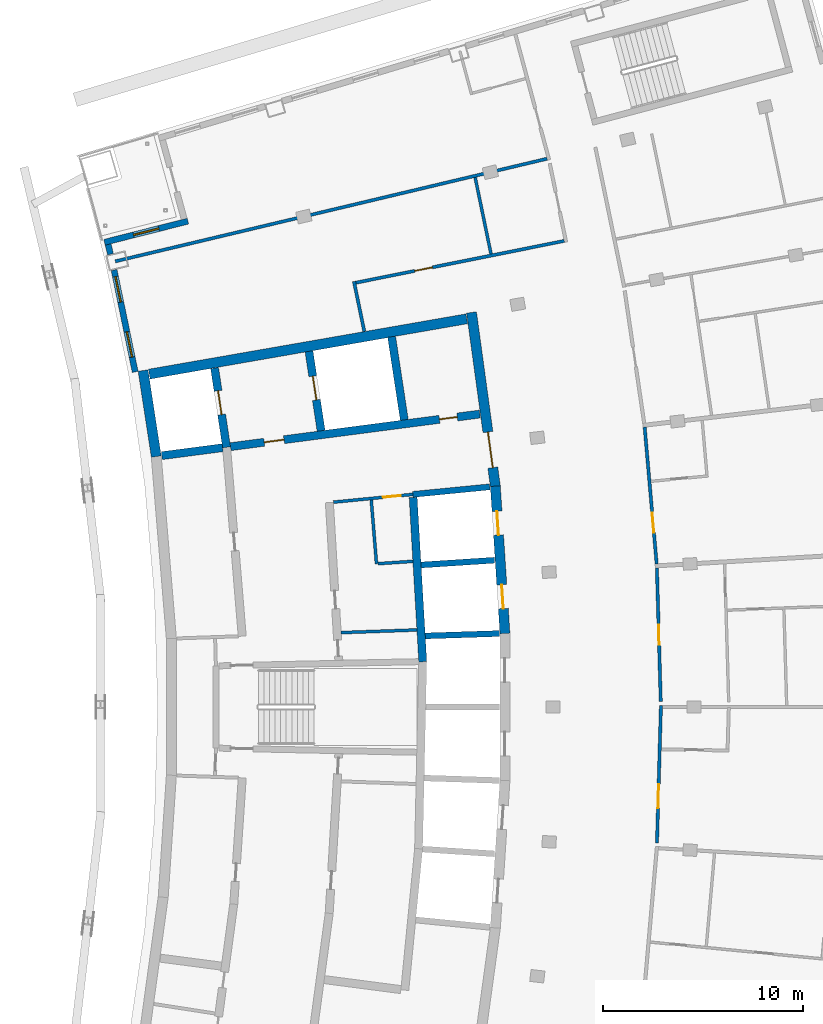
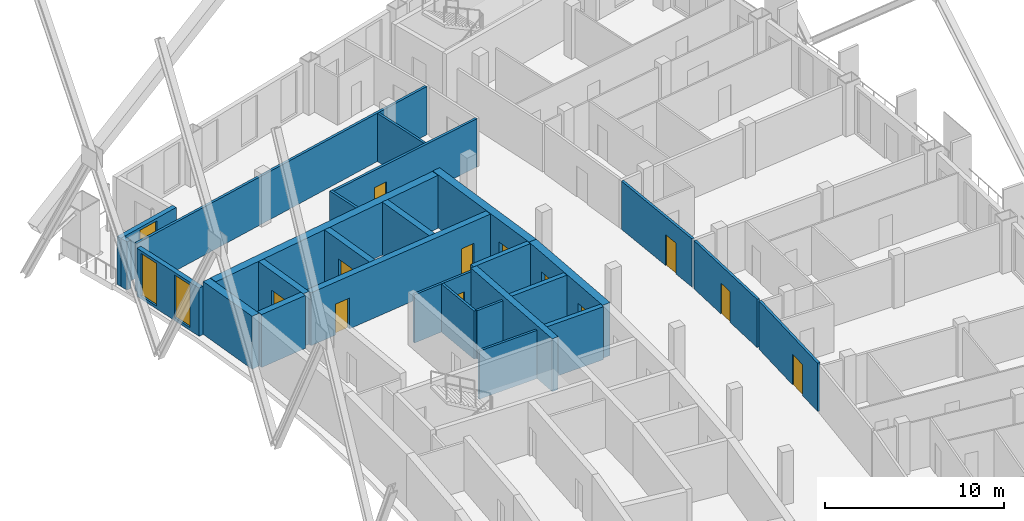
# One storey, part 11 of 16: 27 walls, 12 doors, 3 windows, 15 openings.
"""IFC4 building model written with IfcOpenShell, lengths in metres."""

from ifc_helpers import new_model, si_unit, direction, frame, frame_2d, origin, place, context, subcontext, project, spatial, rectangle, extrude, material, layer, layer_set, type_object, element, fill, save


model = new_model("IFC4")

# Units and contexts
model_context = context("Model", 3, precision=1e-05, world=origin(), true_north=direction((0.0, 1.0)))
body_context = subcontext(model_context, "Body", "Model", "MODEL_VIEW")
ifc_project = project(units=[si_unit("LENGTHUNIT", "METRE"), si_unit("AREAUNIT", "SQUARE_METRE"), si_unit("VOLUMEUNIT", "CUBIC_METRE"), si_unit("PLANEANGLEUNIT", "RADIAN"), si_unit("MASSUNIT", "GRAM", prefix="KILO")], contexts=[model_context])

# Site, building, storey
site_placement = place(None, origin())
site = spatial("IfcSite", under=ifc_project, at=site_placement, CompositionType="ELEMENT")
building_placement = place(site_placement, origin())
building = spatial("IfcBuilding", under=site, at=building_placement, Name="Alderwake Tower", CompositionType="ELEMENT")
storey_placement = place(building_placement, frame((0.0, 0.0, 245.60009765625)))
storey = spatial("IfcBuildingStorey", under=building, at=storey_placement, Name="L60", CompositionType="ELEMENT", Elevation=245.60009765625)

# Walls
ifc_material_1 = material(Name="Gypsum shaft wall system, rated")
ifc_layer_1 = layer(ifc_material_1, 0.14990234375)
ifc_layer_set_1 = layer_set([ifc_layer_1], Name="Core riser partition 150")
wall_type_1 = type_object("IfcWallType", Name="Core riser partition 150", PredefinedType="PARTITIONING", material=ifc_layer_set_1)
wall_1_placement = place(storey_placement, frame((25.191162109375, 64.723388671875, 0.0), z_axis=(0.0, 0.0, 1.0), x_axis=(0.999373627871, 0.035388584556, 0.0)))
element("IfcWall", 1, at=wall_1_placement, inside=storey, type_object=wall_type_1, Name="CW/L60/PR+37_+86", PredefinedType="PARTITIONING", context=body_context, shape_type="SweptSolid", body=[
    extrude(rectangle(XDim=3.79443359375, YDim=0.14990234375, at=frame_2d((1.897216796875, 0.0))), origin(), (0.0, 0.0, 1.0), 3.27978515625),
])
ifc_material_2 = material(Name="Gypsum shaft wall system, rated")
ifc_layer_2 = layer(ifc_material_2, 0.14990234375)
ifc_layer_set_2 = layer_set([ifc_layer_2], Name="Core room partition 150")
wall_type_2 = type_object("IfcWallType", Name="Core room partition 150", PredefinedType="PARTITIONING", material=ifc_layer_set_2)
wall_2_placement = place(storey_placement, frame((26.9599609375, 68.170654296875, 0.0), z_axis=(0.0, 0.0, 1.0), x_axis=(-0.081803626558, 0.996648466954, 0.0)))
element("IfcWall", 2, at=wall_2_placement, inside=storey, type_object=wall_type_2, Name="CW/L60/PA+107_+70", PredefinedType="PARTITIONING", context=body_context, shape_type="SweptSolid", body=[
    extrude(rectangle(XDim=3.205322265625, YDim=0.14990234375, at=frame_2d((1.6025390625, 0.0))), origin(), (0.0, 0.0, 1.0), 3.27978515625),
])
wall_3_placement = place(storey_placement, frame((27.034912109375, 68.175537109375, 0.0), z_axis=(0.0, 0.0, 1.0), x_axis=(0.997757929195, 0.066926188655, 0.0)))
element("IfcWall", 3, at=wall_3_placement, inside=storey, type_object=wall_type_2, Name="CW/L60/PR+70_+107", PredefinedType="PARTITIONING", context=body_context, shape_type="SweptSolid", body=[
    extrude(rectangle(XDim=1.7509765625, YDim=0.14990234375, at=frame_2d((0.87548828125, 0.0))), origin(), (0.0, 0.0, 1.0), 3.27978515625),
])

# Wall, opening, door
wall_4_placement = place(storey_placement, frame((28.780517578125, 71.644287109375, 0.0), z_axis=(0.0, 0.0, 1.0), x_axis=(-0.995250000627, -0.097352125046, 0.0)))
wall_4 = element("IfcWall", 4, at=wall_4_placement, inside=storey, type_object=wall_type_2, Name="CW/L60/PR+102_+86", PredefinedType="PARTITIONING", context=body_context, shape_type="SweptSolid", body=[
    extrude(rectangle(XDim=4.0, YDim=0.14990234375, at=frame_2d((2.0, 0.0))), origin(), (0.0, 0.0, 1.0), 3.27978515625),
])
opening_1_placement = place(wall_4_placement, frame((0.60009765625, 0.0, 0.0)))
opening_1 = element("IfcOpeningElement", 5, at=opening_1_placement, cuts=wall_4, Name="Opening C022", PredefinedType="OPENING", context=body_context, shape_type="SweptSolid", body=[
    extrude(rectangle(XDim=0.89990234375, YDim=2.10009765625, at=frame_2d((0.449951171875, 1.050048828125))), frame((0.0, 0.0849609375, 0.0), z_axis=(0.0, -1.0, 0.0), x_axis=(1.0, 0.0, 0.0)), (0.0, 0.0, 1.0), 0.169921875),
])
ifc_material_3 = material(Name="Painted steel leaf", Category="steel")
door_type_1 = type_object("IfcDoorType", Name="Core room door 900", OperationType="SINGLE_SWING_LEFT", PredefinedType="DOOR", material=ifc_material_3)
door_1_placement = place(opening_1_placement, origin())
door_1 = element("IfcDoor", 6, at=door_1_placement, inside=storey, type_object=door_type_1, Name="Room door", OperationType="SINGLE_SWING_LEFT", OverallHeight=2.10009765625, OverallWidth=0.89990234375, PredefinedType="DOOR", context=body_context, shape_type="SweptSolid", body=[
    extrude(rectangle(XDim=0.89990234375, YDim=2.10009765625, at=frame_2d((0.449951171875, 1.050048828125))), frame((0.0, 0.02490234375, 0.0), z_axis=(0.0, -1.0, 0.0), x_axis=(1.0, 0.0, 0.0)), (0.0, 0.0, 1.0), 0.050048828125),
])
fill(opening_1, door_1)

# Wall
ifc_material_4 = material(Name="Concrete C70/85", Category="concrete")
ifc_layer_3 = layer(ifc_material_4, 0.5)
ifc_layer_set_3 = layer_set([ifc_layer_3], Name="Core wall outer 500 C70-85")
wall_type_3 = type_object("IfcWallType", Name="Core wall outer 500 C70-85", PredefinedType="SHEAR", material=ifc_layer_set_3)
wall_5_placement = place(storey_placement, frame((15.934326171875, 73.5380859375, 0.0), z_axis=(0.0, 0.0, 1.0), x_axis=(-0.151947718368, 0.988388532351, 0.0)))
element("IfcWall", 7, at=wall_5_placement, inside=storey, type_object=wall_type_3, Name="Core wall CW.025", PredefinedType="SHEAR", context=body_context, shape_type="SweptSolid", body=[
    extrude(rectangle(XDim=4.357421875, YDim=0.5, at=frame_2d((2.1787109375, 0.0))), origin(), (0.0, 0.0, 1.0), 3.599853515625),
])

# Wall, openings, doors
wall_6_placement = place(storey_placement, frame((33.390625, 64.679443359375, 0.0), z_axis=(0.0, 0.0, 1.0), x_axis=(-0.064980500916, 0.997886533881, 0.0)))
wall_6 = element("IfcWall", 8, at=wall_6_placement, inside=storey, type_object=wall_type_3, Name="Core wall CW.020", PredefinedType="SHEAR", context=body_context, shape_type="SweptSolid", body=[
    extrude(rectangle(XDim=7.39404296875, YDim=0.5, at=frame_2d((3.697021484375, 0.0))), origin(), (0.0, 0.0, 1.0), 3.599853515625),
])
opening_2_placement = place(wall_6_placement, frame((1.25244140625, 0.0, 0.0)))
opening_2 = element("IfcOpeningElement", 9, at=opening_2_placement, cuts=wall_6, Name="Opening LD-HP5", PredefinedType="OPENING", context=body_context, shape_type="SweptSolid", body=[
    extrude(rectangle(XDim=1.199951171875, YDim=2.300048828125, at=frame_2d((0.60009765625, 1.14990234375))), frame((0.0, 0.260009765625, 0.0), z_axis=(0.0, -1.0, 0.0), x_axis=(1.0, 0.0, 0.0)), (0.0, 0.0, 1.0), 0.52001953125),
])
opening_3_placement = place(wall_6_placement, frame((4.94091796875, 0.0, 0.0)))
opening_3 = element("IfcOpeningElement", 10, at=opening_3_placement, cuts=wall_6, Name="Opening LD-HP6", PredefinedType="OPENING", context=body_context, shape_type="SweptSolid", body=[
    extrude(rectangle(XDim=1.199951171875, YDim=2.300048828125, at=frame_2d((0.60009765625, 1.14990234375))), frame((0.0, 0.260009765625, 0.0), z_axis=(0.0, -1.0, 0.0), x_axis=(1.0, 0.0, 0.0)), (0.0, 0.0, 1.0), 0.52001953125),
])
ifc_material_5 = material(Name="Stainless steel sliding leaf", Category="steel")
door_type_2 = type_object("IfcDoorType", Name="Lift landing door 1200", OperationType="SLIDING_TO_LEFT", PredefinedType="DOOR", material=ifc_material_5)
door_2_placement = place(opening_2_placement, origin())
door_2 = element("IfcDoor", 11, at=door_2_placement, inside=storey, type_object=door_type_2, Name="Lift landing door HP5", OperationType="SLIDING_TO_LEFT", OverallHeight=2.300048828125, OverallWidth=1.199951171875, PredefinedType="DOOR", context=body_context, shape_type="SweptSolid", body=[
    extrude(rectangle(XDim=1.199951171875, YDim=2.300048828125, at=frame_2d((0.60009765625, 1.14990234375))), frame((0.0, 0.02490234375, 0.0), z_axis=(0.0, -1.0, 0.0), x_axis=(1.0, 0.0, 0.0)), (0.0, 0.0, 1.0), 0.050048828125),
])
fill(opening_2, door_2)
door_3_placement = place(opening_3_placement, origin())
door_3 = element("IfcDoor", 12, at=door_3_placement, inside=storey, type_object=door_type_2, Name="Lift landing door HP6", OperationType="SLIDING_TO_LEFT", OverallHeight=2.300048828125, OverallWidth=1.199951171875, PredefinedType="DOOR", context=body_context, shape_type="SweptSolid", body=[
    extrude(rectangle(XDim=1.199951171875, YDim=2.300048828125, at=frame_2d((0.60009765625, 1.14990234375))), frame((0.0, 0.02490234375, 0.0), z_axis=(0.0, -1.0, 0.0), x_axis=(1.0, 0.0, 0.0)), (0.0, 0.0, 1.0), 0.050048828125),
])
fill(opening_3, door_3)

# Wall, opening, door
wall_7_placement = place(storey_placement, frame((31.71728515625, 80.752685546875, 0.0), z_axis=(0.0, 0.0, 1.0), x_axis=(0.1358539401, -0.990728876615, 0.0)))
wall_7 = element("IfcWall", 13, at=wall_7_placement, inside=storey, type_object=wall_type_3, Name="Core wall CW.019", PredefinedType="SHEAR", context=body_context, shape_type="SweptSolid", body=[
    extrude(rectangle(XDim=8.794921875, YDim=0.5, at=frame_2d((4.3974609375, 0.0))), origin(), (0.0, 0.0, 1.0), 3.599853515625),
])
opening_4_placement = place(wall_7_placement, frame((6.0419921875, 0.0, 0.0)))
opening_4 = element("IfcOpeningElement", 14, at=opening_4_placement, cuts=wall_7, Name="Opening C001", PredefinedType="OPENING", context=body_context, shape_type="SweptSolid", body=[
    extrude(rectangle(XDim=1.800048828125, YDim=2.10009765625, at=frame_2d((0.89990234375, 1.050048828125))), frame((0.0, 0.260009765625, 0.0), z_axis=(0.0, -1.0, 0.0), x_axis=(1.0, 0.0, 0.0)), (0.0, 0.0, 1.0), 0.52001953125),
])
ifc_material_6 = material(Name="Steel-framed fire door leaves", Category="steel")
door_type_3 = type_object("IfcDoorType", Name="Core double door 1800 fire-rated", OperationType="DOUBLE_DOOR_SINGLE_SWING", PredefinedType="DOOR", material=ifc_material_6)
door_4_placement = place(opening_4_placement, origin())
door_4 = element("IfcDoor", 15, at=door_4_placement, inside=storey, type_object=door_type_3, Name="Lobby double door", OperationType="DOUBLE_DOOR_SINGLE_SWING", OverallHeight=2.10009765625, OverallWidth=1.800048828125, PredefinedType="DOOR", context=body_context, shape_type="SweptSolid", body=[
    extrude(rectangle(XDim=1.800048828125, YDim=2.10009765625, at=frame_2d((0.89990234375, 1.050048828125))), frame((0.0, 0.02490234375, 0.0), z_axis=(0.0, -1.0, 0.0), x_axis=(1.0, 0.0, 0.0)), (0.0, 0.0, 1.0), 0.050048828125),
])
fill(opening_4, door_4)

# Walls
wall_8_placement = place(storey_placement, frame((15.583251953125, 77.664306640625, 0.0), z_axis=(0.0, 0.0, 1.0), x_axis=(0.985139146221, 0.171758151429, 0.0)))
element("IfcWall", 16, at=wall_8_placement, inside=storey, type_object=wall_type_3, Name="Core wall CW.055", PredefinedType="SHEAR", context=body_context, shape_type="SweptSolid", body=[
    extrude(rectangle(XDim=16.134521484375, YDim=0.5, at=frame_2d((8.0673828125, 0.0))), origin(), (0.0, 0.0, 1.0), 3.599853515625),
])
ifc_material_7 = material(Name="Concrete C70/85", Category="concrete")
ifc_layer_4 = layer(ifc_material_7, 0.300048828125)
ifc_layer_set_4 = layer_set([ifc_layer_4], Name="Core wall shaft 300 C70-85")
wall_type_4 = type_object("IfcWallType", Name="Core wall shaft 300 C70-85", PredefinedType="SHEAR", material=ifc_layer_set_4)
wall_9_placement = place(storey_placement, frame((29.401611328125, 64.558349609375, 0.0), z_axis=(0.0, 0.0, 1.0), x_axis=(0.99947159852, 0.032504211301, 0.0)))
element("IfcWall", 17, at=wall_9_placement, inside=storey, type_object=wall_type_4, Name="Core wall CW.058", PredefinedType="SHEAR", context=body_context, shape_type="SweptSolid", body=[
    extrude(rectangle(XDim=3.71044921875, YDim=0.300048828125, at=frame_2d((1.855224609375, 0.0))), origin(), (0.0, 0.0, 1.0), 3.599853515625),
])
wall_10_placement = place(storey_placement, frame((29.193603515625, 68.110595703125, 0.0), z_axis=(0.0, 0.0, 1.0), x_axis=(0.997885994006, 0.064988791085, 0.0)))
element("IfcWall", 18, at=wall_10_placement, inside=storey, type_object=wall_type_4, Name="Core wall CW.061", PredefinedType="SHEAR", context=body_context, shape_type="SweptSolid", body=[
    extrude(rectangle(XDim=3.685302734375, YDim=0.300048828125, at=frame_2d((1.8427734375, 0.0))), origin(), (0.0, 0.0, 1.0), 3.599853515625),
])
wall_11_placement = place(storey_placement, frame((28.780517578125, 71.644287109375, 0.0), z_axis=(0.0, 0.0, 1.0), x_axis=(0.995244248631, 0.097410910928, 0.0)))
element("IfcWall", 19, at=wall_11_placement, inside=storey, type_object=wall_type_4, Name="Core wall CW.049", PredefinedType="SHEAR", context=body_context, shape_type="SweptSolid", body=[
    extrude(rectangle(XDim=3.86962890625, YDim=0.300048828125, at=frame_2d((1.934814453125, 0.0))), origin(), (0.0, 0.0, 1.0), 3.599853515625),
])

# Wall, opening, door
ifc_material_8 = material(Name="Concrete C70/85", Category="concrete")
ifc_layer_5 = layer(ifc_material_8, 0.39990234375)
ifc_layer_set_5 = layer_set([ifc_layer_5], Name="Core wall spine 400 C70-85")
wall_type_5 = type_object("IfcWallType", Name="Core wall spine 400 C70-85", PredefinedType="SHEAR", material=ifc_layer_set_5)
wall_12_placement = place(storey_placement, frame((19.4541015625, 74.00048828125, 0.0), z_axis=(0.0, 0.0, 1.0), x_axis=(-0.149461330246, 0.988767571657, 0.0)))
wall_12 = element("IfcWall", 20, at=wall_12_placement, inside=storey, type_object=wall_type_5, Name="Core wall CW.030", PredefinedType="SHEAR", context=body_context, shape_type="SweptSolid", body=[
    extrude(rectangle(XDim=4.01513671875, YDim=0.39990234375, at=frame_2d((2.007568359375, 0.0))), origin(), (0.0, 0.0, 1.0), 3.599853515625),
])
opening_5_placement = place(wall_12_placement, frame((1.6611328125, 0.0, 0.0)))
opening_5 = element("IfcOpeningElement", 21, at=opening_5_placement, cuts=wall_12, Name="Opening LD-FF1", PredefinedType="OPENING", context=body_context, shape_type="SweptSolid", body=[
    extrude(rectangle(XDim=1.199951171875, YDim=2.300048828125, at=frame_2d((0.60009765625, 1.14990234375))), frame((0.0, 0.2099609375, 0.0), z_axis=(0.0, -1.0, 0.0), x_axis=(1.0, 0.0, 0.0)), (0.0, 0.0, 1.0), 0.419921875),
])
door_5_placement = place(opening_5_placement, origin())
door_5 = element("IfcDoor", 22, at=door_5_placement, inside=storey, type_object=door_type_2, Name="Lift landing door FF1", OperationType="SLIDING_TO_LEFT", OverallHeight=2.300048828125, OverallWidth=1.199951171875, PredefinedType="DOOR", context=body_context, shape_type="SweptSolid", body=[
    extrude(rectangle(XDim=1.199951171875, YDim=2.300048828125, at=frame_2d((0.60009765625, 1.14990234375))), frame((0.0, 0.02490234375, 0.0), z_axis=(0.0, -1.0, 0.0), x_axis=(1.0, 0.0, 0.0)), (0.0, 0.0, 1.0), 0.050048828125),
])
fill(opening_5, door_5)

wall_13_placement = place(storey_placement, frame((24.186279296875, 74.82861328125, 0.0), z_axis=(0.0, 0.0, 1.0), x_axis=(-0.150547717109, 0.988602743711, 0.0)))
wall_13 = element("IfcWall", 23, at=wall_13_placement, inside=storey, type_object=wall_type_5, Name="Core wall CW.044", PredefinedType="SHEAR", context=body_context, shape_type="SweptSolid", body=[
    extrude(rectangle(XDim=4.0234375, YDim=0.39990234375, at=frame_2d((2.01171875, 0.0))), origin(), (0.0, 0.0, 1.0), 3.599853515625),
])
opening_6_placement = place(wall_13_placement, frame((1.561767578125, 0.0, 0.0)))
opening_6 = element("IfcOpeningElement", 24, at=opening_6_placement, cuts=wall_13, Name="Opening LD-FF2", PredefinedType="OPENING", context=body_context, shape_type="SweptSolid", body=[
    extrude(rectangle(XDim=1.199951171875, YDim=2.300048828125, at=frame_2d((0.60009765625, 1.14990234375))), frame((0.0, 0.2099609375, 0.0), z_axis=(0.0, -1.0, 0.0), x_axis=(1.0, 0.0, 0.0)), (0.0, 0.0, 1.0), 0.419921875),
])
door_6_placement = place(opening_6_placement, origin())
door_6 = element("IfcDoor", 25, at=door_6_placement, inside=storey, type_object=door_type_2, Name="Lift landing door FF2", OperationType="SLIDING_TO_LEFT", OverallHeight=2.300048828125, OverallWidth=1.199951171875, PredefinedType="DOOR", context=body_context, shape_type="SweptSolid", body=[
    extrude(rectangle(XDim=1.199951171875, YDim=2.300048828125, at=frame_2d((0.60009765625, 1.14990234375))), frame((0.0, 0.02490234375, 0.0), z_axis=(0.0, -1.0, 0.0), x_axis=(1.0, 0.0, 0.0)), (0.0, 0.0, 1.0), 0.050048828125),
])
fill(opening_6, door_6)

# Walls
wall_14_placement = place(storey_placement, frame((29.27685546875, 63.2646484375, 0.0), z_axis=(0.0, 0.0, 1.0), x_axis=(-0.0584546922, 0.998290062537, 0.0)))
element("IfcWall", 26, at=wall_14_placement, inside=storey, type_object=wall_type_5, Name="Core wall CW.002", PredefinedType="SHEAR", context=body_context, shape_type="SweptSolid", body=[
    extrude(rectangle(XDim=8.24462890625, YDim=0.39990234375, at=frame_2d((4.122314453125, 0.0))), origin(), (0.0, 0.0, 1.0), 3.599853515625),
])
wall_15_placement = place(storey_placement, frame((28.350830078125, 75.373291015625, 0.0), z_axis=(0.0, 0.0, 1.0), x_axis=(-0.150576223774, 0.988598402201, 0.0)))
element("IfcWall", 27, at=wall_15_placement, inside=storey, type_object=wall_type_5, Name="Core wall CW.001", PredefinedType="SHEAR", context=body_context, shape_type="SweptSolid", body=[
    extrude(rectangle(XDim=4.21240234375, YDim=0.39990234375, at=frame_2d((2.106201171875, 0.0))), origin(), (0.0, 0.0, 1.0), 3.599853515625),
])
wall_16_placement = place(storey_placement, frame((16.210693359375, 73.583740234375, 0.0), z_axis=(0.0, 0.0, 1.0), x_axis=(0.991560893257, 0.129641794819, 0.0)))
element("IfcWall", 28, at=wall_16_placement, inside=storey, type_object=wall_type_5, Name="Core wall CW.051", PredefinedType="SHEAR", context=body_context, shape_type="SweptSolid", body=[
    extrude(rectangle(XDim=3.069580078125, YDim=0.39990234375, at=frame_2d((1.53466796875, 0.0))), origin(), (0.0, 0.0, 1.0), 3.599853515625),
])

# Wall, openings, doors
wall_17_placement = place(storey_placement, frame((32.132080078125, 75.666015625, 0.0), z_axis=(0.0, 0.0, 1.0), x_axis=(-0.991555139901, -0.129685791576, 0.0)))
wall_17 = element("IfcWall", 29, at=wall_17_placement, inside=storey, type_object=wall_type_5, Name="Core wall CW.052", PredefinedType="SHEAR", context=body_context, shape_type="SweptSolid", body=[
    extrude(rectangle(XDim=12.586669921875, YDim=0.39990234375, at=frame_2d((6.29345703125, 0.0))), origin(), (0.0, 0.0, 1.0), 3.599853515625),
])
opening_7_placement = place(wall_17_placement, frame((9.88720703125, 0.0, 0.0)))
opening_7 = element("IfcOpeningElement", 30, at=opening_7_placement, cuts=wall_17, Name="Opening C002", PredefinedType="OPENING", context=body_context, shape_type="SweptSolid", body=[
    extrude(rectangle(XDim=1.0, YDim=2.10009765625, at=frame_2d((0.5, 1.050048828125))), frame((0.0, 0.2099609375, 0.0), z_axis=(0.0, -1.0, 0.0), x_axis=(1.0, 0.0, 0.0)), (0.0, 0.0, 1.0), 0.419921875),
])
opening_8_placement = place(wall_17_placement, frame((1.13720703125, 0.0, 0.0)))
opening_8 = element("IfcOpeningElement", 31, at=opening_8_placement, cuts=wall_17, Name="Opening C020", PredefinedType="OPENING", context=body_context, shape_type="SweptSolid", body=[
    extrude(rectangle(XDim=0.89990234375, YDim=2.10009765625, at=frame_2d((0.449951171875, 1.050048828125))), frame((0.0, 0.2099609375, 0.0), z_axis=(0.0, -1.0, 0.0), x_axis=(1.0, 0.0, 0.0)), (0.0, 0.0, 1.0), 0.419921875),
])
door_7_placement = place(opening_8_placement, origin())
door_7 = element("IfcDoor", 32, at=door_7_placement, inside=storey, type_object=door_type_1, Name="Room door", OperationType="SINGLE_SWING_RIGHT", OverallHeight=2.10009765625, OverallWidth=0.89990234375, PredefinedType="DOOR", context=body_context, shape_type="SweptSolid", body=[
    extrude(rectangle(XDim=0.89990234375, YDim=2.10009765625, at=frame_2d((0.449951171875, 1.050048828125))), frame((0.0, 0.02490234375, 0.0), z_axis=(0.0, -1.0, 0.0), x_axis=(1.0, 0.0, 0.0)), (0.0, 0.0, 1.0), 0.050048828125),
])
fill(opening_8, door_7)
ifc_material_9 = material(Name="Steel-framed fire door leaf", Category="steel")
door_type_4 = type_object("IfcDoorType", Name="Firefighting lobby door 1000 fire-rated", OperationType="SINGLE_SWING_LEFT", PredefinedType="DOOR", material=ifc_material_9)
door_8_placement = place(opening_7_placement, origin())
door_8 = element("IfcDoor", 33, at=door_8_placement, inside=storey, type_object=door_type_4, Name="Firefighting lobby door", OperationType="SINGLE_SWING_RIGHT", OverallHeight=2.10009765625, OverallWidth=1.0, PredefinedType="DOOR", context=body_context, shape_type="SweptSolid", body=[
    extrude(rectangle(XDim=1.0, YDim=2.10009765625, at=frame_2d((0.5, 1.050048828125))), frame((0.0, 0.02490234375, 0.0), z_axis=(0.0, -1.0, 0.0), x_axis=(1.0, 0.0, 0.0)), (0.0, 0.0, 1.0), 0.050048828125),
])
fill(opening_7, door_8)

# Walls
ifc_material_10 = material(Name="Gypsum board on metal studs, rated")
ifc_layer_6 = layer(ifc_material_10, 0.159912109375)
ifc_layer_set_6 = layer_set([ifc_layer_6], Name="Corridor wall 160")
wall_type_6 = type_object("IfcWallType", Name="Corridor wall 160", PredefinedType="PARTITIONING", material=ifc_layer_set_6)
wall_18_placement = place(storey_placement, frame((25.831787109375, 82.305419921875, 0.0), z_axis=(0.0, 0.0, 1.0), x_axis=(0.202450797205, -0.979292435747, 0.0)))
element("IfcWall", 34, at=wall_18_placement, inside=storey, type_object=wall_type_6, Name="WL/L60/W11", PredefinedType="PARTITIONING", context=body_context, shape_type="SweptSolid", body=[
    extrude(rectangle(XDim=2.555419921875, YDim=0.159912109375, at=frame_2d((1.27783203125, 0.0))), origin(), (0.0, 0.0, 1.0), 3.27978515625),
])
wall_19_placement = place(storey_placement, frame((35.502197265625, 88.451416015625, 0.0), z_axis=(0.0, 0.0, 1.0), x_axis=(-0.972894913244, -0.231247676278, 0.0)))
element("IfcWall", 35, at=wall_19_placement, inside=storey, type_object=wall_type_6, Name="WL/L60/W14", PredefinedType="PARTITIONING", context=body_context, shape_type="SweptSolid", body=[
    extrude(rectangle(XDim=22.220458984375, YDim=0.159912109375, at=frame_2d((11.1103515625, 0.0))), origin(), (0.0, 0.0, 1.0), 3.27978515625),
])

# Wall, opening, door
wall_20_placement = place(storey_placement, frame((25.926513671875, 82.24267578125, 0.0), z_axis=(0.0, 0.0, 1.0), x_axis=(0.98046310274, 0.196703086316, 0.0)))
wall_20 = element("IfcWall", 36, at=wall_20_placement, inside=storey, type_object=wall_type_6, Name="WL/L60/W17", PredefinedType="PARTITIONING", context=body_context, shape_type="SweptSolid", body=[
    extrude(rectangle(XDim=10.637939453125, YDim=0.159912109375, at=frame_2d((5.31884765625, 0.0))), origin(), (0.0, 0.0, 1.0), 3.27978515625),
])
opening_9_placement = place(wall_20_placement, frame((3.009033203125, 0.0, 0.0)))
opening_9 = element("IfcOpeningElement", 37, at=opening_9_placement, cuts=wall_20, Name="Opening R17-SBN1", PredefinedType="OPENING", context=body_context, shape_type="SweptSolid", body=[
    extrude(rectangle(XDim=0.89990234375, YDim=2.10009765625, at=frame_2d((0.449951171875, 1.050048828125))), frame((0.0, 0.08984375, 0.0), z_axis=(0.0, -1.0, 0.0), x_axis=(1.0, 0.0, 0.0)), (0.0, 0.0, 1.0), 0.179931640625),
])
ifc_material_11 = material(Name="Painted timber leaf", Category="wood")
door_type_5 = type_object("IfcDoorType", Name="Room door 900", OperationType="SINGLE_SWING_LEFT", PredefinedType="DOOR", material=ifc_material_11)
door_9_placement = place(opening_9_placement, origin())
door_9 = element("IfcDoor", 38, at=door_9_placement, inside=storey, type_object=door_type_5, Name="DR/L60/SBN1", OperationType="SINGLE_SWING_LEFT", OverallHeight=2.10009765625, OverallWidth=0.89990234375, PredefinedType="DOOR", context=body_context, shape_type="SweptSolid", body=[
    extrude(rectangle(XDim=0.89990234375, YDim=2.10009765625, at=frame_2d((0.449951171875, 1.050048828125))), frame((0.0, 0.02490234375, 0.0), z_axis=(0.0, -1.0, 0.0), x_axis=(1.0, 0.0, 0.0)), (0.0, 0.0, 1.0), 0.050048828125),
])
fill(opening_9, door_9)

wall_21_placement = place(storey_placement, frame((41.201416015625, 61.0791015625, 0.0), z_axis=(0.0, 0.0, 1.0), x_axis=(-0.028879835058, -0.999582890573, 0.0)))
wall_21 = element("IfcWall", 39, at=wall_21_placement, inside=storey, type_object=wall_type_6, Name="WL/L60/W23", PredefinedType="PARTITIONING", context=body_context, shape_type="SweptSolid", body=[
    extrude(rectangle(XDim=6.88134765625, YDim=0.159912109375, at=frame_2d((3.440673828125, 0.0))), origin(), (0.0, 0.0, 1.0), 3.27978515625),
])
opening_10_placement = place(wall_21_placement, frame((3.9404296875, 0.0, 0.0)))
opening_10 = element("IfcOpeningElement", 40, at=opening_10_placement, cuts=wall_21, Name="Opening R17-AM1.1", PredefinedType="OPENING", context=body_context, shape_type="SweptSolid", body=[
    extrude(rectangle(XDim=1.199951171875, YDim=2.10009765625, at=frame_2d((0.60009765625, 1.050048828125))), frame((0.0, 0.08984375, 0.0), z_axis=(0.0, -1.0, 0.0), x_axis=(1.0, 0.0, 0.0)), (0.0, 0.0, 1.0), 0.179931640625),
])
ifc_material_12 = material(Name="Steel-framed fire door leaf", Category="steel")
door_type_6 = type_object("IfcDoorType", Name="Lobby door 1200 fire-rated", OperationType="SINGLE_SWING_LEFT", PredefinedType="DOOR", material=ifc_material_12)
door_10_placement = place(opening_10_placement, origin())
door_10 = element("IfcDoor", 41, at=door_10_placement, inside=storey, type_object=door_type_6, Name="DR/L60/AM1.1", OperationType="SINGLE_SWING_LEFT", OverallHeight=2.10009765625, OverallWidth=1.199951171875, PredefinedType="DOOR", context=body_context, shape_type="SweptSolid", body=[
    extrude(rectangle(XDim=1.199951171875, YDim=2.10009765625, at=frame_2d((0.60009765625, 1.050048828125))), frame((0.0, 0.02490234375, 0.0), z_axis=(0.0, -1.0, 0.0), x_axis=(1.0, 0.0, 0.0)), (0.0, 0.0, 1.0), 0.050048828125),
])
fill(opening_10, door_10)

wall_22_placement = place(storey_placement, frame((40.3857421875, 75.00830078125, 0.0), z_axis=(0.0, 0.0, 1.0), x_axis=(0.087448731147, -0.996169021512, 0.0)))
wall_22 = element("IfcWall", 42, at=wall_22_placement, inside=storey, type_object=wall_type_6, Name="WL/L60/W25", PredefinedType="PARTITIONING", context=body_context, shape_type="SweptSolid", body=[
    extrude(rectangle(XDim=6.867919921875, YDim=0.159912109375, at=frame_2d((3.43408203125, 0.0))), origin(), (0.0, 0.0, 1.0), 3.27978515625),
])
opening_11_placement = place(wall_22_placement, frame((4.2978515625, 0.0, 0.0)))
opening_11 = element("IfcOpeningElement", 43, at=opening_11_placement, cuts=wall_22, Name="Opening R17-U06.1", PredefinedType="OPENING", context=body_context, shape_type="SweptSolid", body=[
    extrude(rectangle(XDim=1.0, YDim=2.10009765625, at=frame_2d((0.5, 1.050048828125))), frame((0.0, 0.08984375, 0.0), z_axis=(0.0, -1.0, 0.0), x_axis=(1.0, 0.0, 0.0)), (0.0, 0.0, 1.0), 0.179931640625),
])
ifc_material_13 = material(Name="Solid timber leaf in steel frame", Category="steel")
door_type_7 = type_object("IfcDoorType", Name="Flat entrance door 1000 fire-rated", OperationType="SINGLE_SWING_LEFT", PredefinedType="DOOR", material=ifc_material_13)
door_11_placement = place(opening_11_placement, origin())
door_11 = element("IfcDoor", 44, at=door_11_placement, inside=storey, type_object=door_type_7, Name="DR/L60/U06.1", OperationType="SINGLE_SWING_LEFT", OverallHeight=2.10009765625, OverallWidth=1.0, PredefinedType="DOOR", context=body_context, shape_type="SweptSolid", body=[
    extrude(rectangle(XDim=1.0, YDim=2.10009765625, at=frame_2d((0.5, 1.050048828125))), frame((0.0, 0.02490234375, 0.0), z_axis=(0.0, -1.0, 0.0), x_axis=(1.0, 0.0, 0.0)), (0.0, 0.0, 1.0), 0.050048828125),
])
fill(opening_11, door_11)

wall_23_placement = place(storey_placement, frame((40.997802734375, 67.967041015625, 0.0), z_axis=(0.0, 0.0, 1.0), x_axis=(0.0288778927, -0.99958294669, 0.0)))
wall_23 = element("IfcWall", 45, at=wall_23_placement, inside=storey, type_object=wall_type_6, Name="WL/L60/W26", PredefinedType="PARTITIONING", context=body_context, shape_type="SweptSolid", body=[
    extrude(rectangle(XDim=6.7041015625, YDim=0.159912109375, at=frame_2d((3.35205078125, 0.0))), origin(), (0.0, 0.0, 1.0), 3.27978515625),
])
opening_12_placement = place(wall_23_placement, frame((2.85205078125, 0.0, 0.0)))
opening_12 = element("IfcOpeningElement", 46, at=opening_12_placement, cuts=wall_23, Name="Opening R17-U05.1", PredefinedType="OPENING", context=body_context, shape_type="SweptSolid", body=[
    extrude(rectangle(XDim=1.0, YDim=2.10009765625, at=frame_2d((0.5, 1.050048828125))), frame((0.0, 0.08984375, 0.0), z_axis=(0.0, -1.0, 0.0), x_axis=(1.0, 0.0, 0.0)), (0.0, 0.0, 1.0), 0.179931640625),
])
door_12_placement = place(opening_12_placement, origin())
door_12 = element("IfcDoor", 47, at=door_12_placement, inside=storey, type_object=door_type_7, Name="DR/L60/U05.1", OperationType="SINGLE_SWING_LEFT", OverallHeight=2.10009765625, OverallWidth=1.0, PredefinedType="DOOR", context=body_context, shape_type="SweptSolid", body=[
    extrude(rectangle(XDim=1.0, YDim=2.10009765625, at=frame_2d((0.5, 1.050048828125))), frame((0.0, 0.02490234375, 0.0), z_axis=(0.0, -1.0, 0.0), x_axis=(1.0, 0.0, 0.0)), (0.0, 0.0, 1.0), 0.050048828125),
])
fill(opening_12, door_12)

# Wall
ifc_material_14 = material(Name="Precast concrete C50/60 spandrel panel", Category="concrete")
ifc_layer_7 = layer(ifc_material_14, 0.300048828125)
ifc_layer_set_7 = layer_set([ifc_layer_7], Name="External wall EW1 Precast concrete C50/60 spandrel")
wall_type_7 = type_object("IfcWallType", Name="External wall EW1 Precast concrete C50/60 spandrel", PredefinedType="SOLIDWALL", material=ifc_layer_set_7)
wall_24_placement = place(storey_placement, frame((13.523193359375, 84.1572265625, 0.0), z_axis=(0.0, 0.0, 1.0), x_axis=(0.238653145818, -0.971104873838, 0.0)))
element("IfcWall", 48, at=wall_24_placement, inside=storey, type_object=wall_type_7, Name="External wall 30", PredefinedType="SOLIDWALL", context=body_context, shape_type="SweptSolid", body=[
    extrude(rectangle(XDim=0.50341796875, YDim=0.300048828125, at=frame_2d((0.251708984375, 0.0))), origin(), (0.0, 0.0, 1.0), 3.27978515625),
])

# Wall, openings, windows
wall_25_placement = place(storey_placement, frame((13.821533203125, 82.879638671875, 0.0), z_axis=(0.0, 0.0, 1.0), x_axis=(0.202760516883, -0.979228355795, 0.0)))
wall_25 = element("IfcWall", 49, at=wall_25_placement, inside=storey, type_object=wall_type_7, Name="External wall 31", PredefinedType="SOLIDWALL", context=body_context, shape_type="SweptSolid", body=[
    extrude(rectangle(XDim=5.211181640625, YDim=0.300048828125, at=frame_2d((2.60546875, 0.0))), origin(), (0.0, 0.0, 1.0), 3.27978515625),
])
opening_13_placement = place(wall_25_placement, frame((0.342041015625, 0.0, 0.199951171875)))
opening_13 = element("IfcOpeningElement", 50, at=opening_13_placement, cuts=wall_25, Name="Opening W1", PredefinedType="OPENING", context=body_context, shape_type="SweptSolid", body=[
    extrude(rectangle(XDim=1.300048828125, YDim=2.89990234375, at=frame_2d((0.64990234375, 1.449951171875))), frame((0.0, 0.159912109375, 0.0), z_axis=(0.0, -1.0, 0.0), x_axis=(1.0, 0.0, 0.0)), (0.0, 0.0, 1.0), 0.320068359375),
])
opening_14_placement = place(wall_25_placement, frame((3.15478515625, 0.0, 0.199951171875)))
opening_14 = element("IfcOpeningElement", 51, at=opening_14_placement, cuts=wall_25, Name="Opening W1", PredefinedType="OPENING", context=body_context, shape_type="SweptSolid", body=[
    extrude(rectangle(XDim=1.300048828125, YDim=2.89990234375, at=frame_2d((0.64990234375, 1.449951171875))), frame((0.0, 0.159912109375, 0.0), z_axis=(0.0, -1.0, 0.0), x_axis=(1.0, 0.0, 0.0)), (0.0, 0.0, 1.0), 0.320068359375),
])
ifc_material_15 = material(Name="Bronze tinted glass in aluminium frame", Category="aluminium")
window_type = type_object("IfcWindowType", Name="Window W1 tall fixed and vent", PartitioningType="DOUBLE_PANEL_VERTICAL", PredefinedType="WINDOW", material=ifc_material_15)
window_1_placement = place(opening_13_placement, origin())
window_1 = element("IfcWindow", 52, at=window_1_placement, inside=storey, type_object=window_type, Name="Window W1 tall fixed and vent", OverallHeight=2.89990234375, OverallWidth=1.300048828125, PartitioningType="DOUBLE_PANEL_VERTICAL", PredefinedType="WINDOW", context=body_context, shape_type="SweptSolid", body=[
    extrude(rectangle(XDim=1.300048828125, YDim=2.89990234375, at=frame_2d((0.64990234375, 1.449951171875))), frame((0.0, 0.030029296875, 0.0), z_axis=(0.0, -1.0, 0.0), x_axis=(1.0, 0.0, 0.0)), (0.0, 0.0, 1.0), 0.06005859375),
])
fill(opening_13, window_1)
window_2_placement = place(opening_14_placement, origin())
window_2 = element("IfcWindow", 53, at=window_2_placement, inside=storey, type_object=window_type, Name="Window W1 tall fixed and vent", OverallHeight=2.89990234375, OverallWidth=1.300048828125, PartitioningType="DOUBLE_PANEL_VERTICAL", PredefinedType="WINDOW", context=body_context, shape_type="SweptSolid", body=[
    extrude(rectangle(XDim=1.300048828125, YDim=2.89990234375, at=frame_2d((0.64990234375, 1.449951171875))), frame((0.0, 0.030029296875, 0.0), z_axis=(0.0, -1.0, 0.0), x_axis=(1.0, 0.0, 0.0)), (0.0, 0.0, 1.0), 0.06005859375),
])
fill(opening_14, window_2)

# Wall, opening, window
ifc_material_16 = material(Name="Bronze metal cladding on lightweight framing")
ifc_layer_8 = layer(ifc_material_16, 0.300048828125)
ifc_layer_set_8 = layer_set([ifc_layer_8], Name="External wall EW2 bronze metal cladding")
wall_type_8 = type_object("IfcWallType", Name="External wall EW2 bronze metal cladding", PredefinedType="SOLIDWALL", material=ifc_layer_set_8)
wall_26_placement = place(storey_placement, frame((17.51611328125, 85.32275390625, 0.0), z_axis=(0.0, 0.0, 1.0), x_axis=(-0.969417740682, -0.245416470617, 0.0)))
wall_26 = element("IfcWall", 54, at=wall_26_placement, inside=storey, type_object=wall_type_8, Name="External wall 29", PredefinedType="SOLIDWALL", context=body_context, shape_type="SweptSolid", body=[
    extrude(rectangle(XDim=4.305419921875, YDim=0.300048828125, at=frame_2d((2.15283203125, 0.0))), origin(), (0.0, 0.0, 1.0), 3.27978515625),
])
opening_15_placement = place(wall_26_placement, frame((1.502685546875, 0.0, 0.199951171875)))
opening_15 = element("IfcOpeningElement", 55, at=opening_15_placement, cuts=wall_26, Name="Opening W1", PredefinedType="OPENING", context=body_context, shape_type="SweptSolid", body=[
    extrude(rectangle(XDim=1.300048828125, YDim=2.89990234375, at=frame_2d((0.64990234375, 1.449951171875))), frame((0.0, 0.159912109375, 0.0), z_axis=(0.0, -1.0, 0.0), x_axis=(1.0, 0.0, 0.0)), (0.0, 0.0, 1.0), 0.320068359375),
])
window_3_placement = place(opening_15_placement, origin())
window_3 = element("IfcWindow", 56, at=window_3_placement, inside=storey, type_object=window_type, Name="Window W1 tall fixed and vent", OverallHeight=2.89990234375, OverallWidth=1.300048828125, PartitioningType="DOUBLE_PANEL_VERTICAL", PredefinedType="WINDOW", context=body_context, shape_type="SweptSolid", body=[
    extrude(rectangle(XDim=1.300048828125, YDim=2.89990234375, at=frame_2d((0.64990234375, 1.449951171875))), frame((0.0, 0.030029296875, 0.0), z_axis=(0.0, -1.0, 0.0), x_axis=(1.0, 0.0, 0.0)), (0.0, 0.0, 1.0), 0.06005859375),
])
fill(opening_15, window_3)

# Wall
ifc_material_17 = material(Name="Gypsum shaft wall system, rated")
ifc_layer_9 = layer(ifc_material_17, 0.14990234375)
ifc_layer_set_9 = layer_set([ifc_layer_9], Name="Riser and shaft wall 150")
wall_type_9 = type_object("IfcWallType", Name="Riser and shaft wall 150", PredefinedType="PARTITIONING", material=ifc_layer_set_9)
wall_27_placement = place(storey_placement, frame((32.69287109375, 83.682373046875, 0.0), z_axis=(0.0, 0.0, 1.0), x_axis=(-0.20266545775, 0.979248034073, 0.0)))
element("IfcWall", 57, at=wall_27_placement, inside=storey, type_object=wall_type_9, Name="WL/L60/W05", PredefinedType="PARTITIONING", context=body_context, shape_type="SweptSolid", body=[
    extrude(rectangle(XDim=3.911376953125, YDim=0.14990234375, at=frame_2d((1.95556640625, 0.0))), origin(), (0.0, 0.0, 1.0), 3.27978515625),
])

save(model, "model.ifc")
